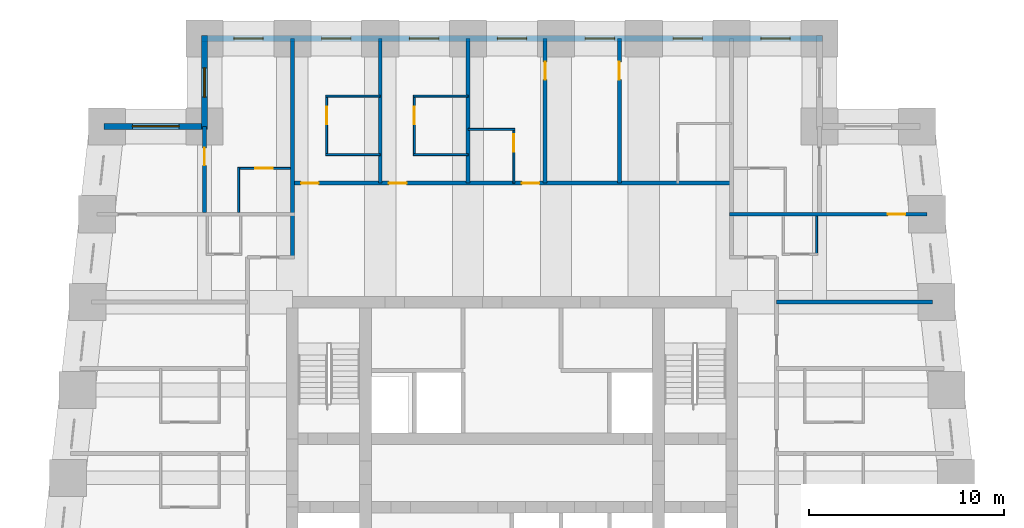
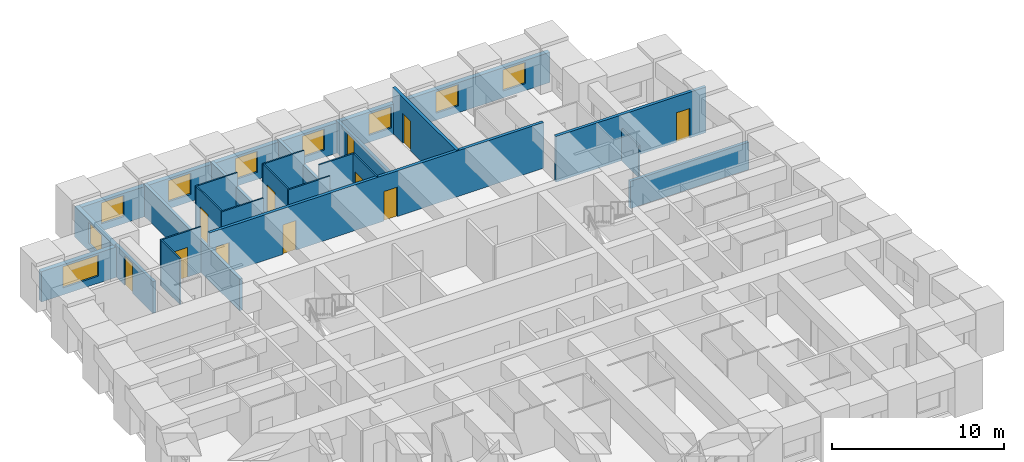
# One storey, part 6 of 8: 23 walls, 11 doors, 9 windows, 20 openings.
"""IFC4 building model written with IfcOpenShell, lengths in metres."""

from ifc_helpers import new_model, si_unit, direction, frame, frame_2d, origin, place, context, subcontext, project, spatial, rectangle, extrude, material, layer, layer_set, type_object, element, fill, save


model = new_model("IFC4")

# Units and contexts
model_context = context("Model", 3, precision=1e-05, world=origin(), true_north=direction((0.0, 1.0)))
body_context = subcontext(model_context, "Body", "Model", "MODEL_VIEW")
ifc_project = project(units=[si_unit("LENGTHUNIT", "METRE"), si_unit("AREAUNIT", "SQUARE_METRE"), si_unit("VOLUMEUNIT", "CUBIC_METRE"), si_unit("PLANEANGLEUNIT", "RADIAN"), si_unit("MASSUNIT", "GRAM", prefix="KILO")], contexts=[model_context])

# Site, building, storey
site_placement = place(None, origin())
site = spatial("IfcSite", under=ifc_project, at=site_placement, CompositionType="ELEMENT")
building_placement = place(site_placement, origin())
building = spatial("IfcBuilding", under=site, at=building_placement, Name="Kilele Tower Hotel", CompositionType="ELEMENT")
storey_placement = place(building_placement, frame((0.0, 0.0, 100.39990234375)))
storey = spatial("IfcBuildingStorey", under=building, at=storey_placement, Name="L25", CompositionType="ELEMENT", Elevation=100.39990234375)

# Walls
ifc_material_1 = material(Name="Moisture-resistant board")
ifc_layer_1 = layer(ifc_material_1, 0.10009765625)
ifc_layer_set_1 = layer_set([ifc_layer_1], Name="Moisture-resistant board")
wall_type_1 = type_object("IfcWallType", Name="Bathroom partition 100", PredefinedType="PLUMBINGWALL", material=ifc_layer_set_1)
for number, where, z_axis, x_axis, name in (
    (1, (15.199951171875, 34.550048828125, 0.0), (0.0, 0.0, 1.0), (1.0, 0.0, 0.0), "Bathroom partition 100 L25"),
    (2, (15.199951171875, 37.550048828125, 0.0), (0.0, 0.0, 1.0), (1.0, 0.0, 0.0), "Bathroom partition 100 L25"),
):
    element("IfcWall", number, at=place(storey_placement, frame(where, z_axis=z_axis, x_axis=x_axis)), inside=storey, type_object=wall_type_1, Name=name, PredefinedType="PLUMBINGWALL", context=body_context, shape_type="SweptSolid", body=[
        extrude(rectangle(XDim=2.800048828125, YDim=0.10009765625, at=frame_2d((1.39990234375, 0.0))), origin(), (0.0, 0.0, 1.0), 3.25),
    ])

# Wall, opening, door
wall_1_placement = place(storey_placement, frame((15.25, 34.5, 0.0), z_axis=(0.0, 0.0, 1.0), x_axis=(0.0, 1.0, 0.0)))
wall_1 = element("IfcWall", 3, at=wall_1_placement, inside=storey, type_object=wall_type_1, Name="Bathroom partition 100 L25", PredefinedType="PLUMBINGWALL", context=body_context, shape_type="SweptSolid", body=[
    extrude(rectangle(XDim=3.10009765625, YDim=0.10009765625, at=frame_2d((1.550048828125, 0.0))), origin(), (0.0, 0.0, 1.0), 3.25),
])
opening_1_placement = place(wall_1_placement, frame((1.60009765625, 0.0, 0.0)))
opening_1 = element("IfcOpeningElement", 4, at=opening_1_placement, cuts=wall_1, Name="Opening D2A", PredefinedType="OPENING", context=body_context, shape_type="SweptSolid", body=[
    extrude(rectangle(XDim=0.89990234375, YDim=2.10009765625, at=frame_2d((0.449951171875, 1.050048828125))), frame((0.0, 0.06005859375, 0.0), z_axis=(0.0, -1.0, 0.0), x_axis=(1.0, 0.0, 0.0)), (0.0, 0.0, 1.0), 0.1201171875),
])
ifc_material_2 = material(Name="Timber door leaf in hardwood frame", Category="wood")
door_type_1 = type_object("IfcDoorType", Name="Bathroom door 900", OperationType="SINGLE_SWING_LEFT", PredefinedType="DOOR", material=ifc_material_2)
door_1_placement = place(opening_1_placement, origin())
door_1 = element("IfcDoor", 5, at=door_1_placement, inside=storey, type_object=door_type_1, Name="Bathroom door 2509B", OperationType="SINGLE_SWING_RIGHT", OverallHeight=2.10009765625, OverallWidth=0.89990234375, PredefinedType="DOOR", context=body_context, shape_type="SweptSolid", body=[
    extrude(rectangle(XDim=0.89990234375, YDim=2.10009765625, at=frame_2d((0.449951171875, 1.050048828125))), frame((0.0, 0.02490234375, 0.0), z_axis=(0.0, -1.0, 0.0), x_axis=(1.0, 0.0, 0.0)), (0.0, 0.0, 1.0), 0.050048828125),
])
fill(opening_1, door_1)

# Walls
for number, where, z_axis, x_axis, name in (
    (6, (19.699951171875, 34.550048828125, 0.0), (0.0, 0.0, 1.0), (1.0, 0.0, 0.0), "Bathroom partition 100 L25"),
    (7, (19.699951171875, 37.550048828125, 0.0), (0.0, 0.0, 1.0), (1.0, 0.0, 0.0), "Bathroom partition 100 L25"),
):
    element("IfcWall", number, at=place(storey_placement, frame(where, z_axis=z_axis, x_axis=x_axis)), inside=storey, type_object=wall_type_1, Name=name, PredefinedType="PLUMBINGWALL", context=body_context, shape_type="SweptSolid", body=[
        extrude(rectangle(XDim=2.800048828125, YDim=0.10009765625, at=frame_2d((1.39990234375, 0.0))), origin(), (0.0, 0.0, 1.0), 3.25),
    ])

# Wall, opening, door
wall_2_placement = place(storey_placement, frame((19.75, 34.5, 0.0), z_axis=(0.0, 0.0, 1.0), x_axis=(0.0, 1.0, 0.0)))
wall_2 = element("IfcWall", 8, at=wall_2_placement, inside=storey, type_object=wall_type_1, Name="Bathroom partition 100 L25", PredefinedType="PLUMBINGWALL", context=body_context, shape_type="SweptSolid", body=[
    extrude(rectangle(XDim=3.10009765625, YDim=0.10009765625, at=frame_2d((1.550048828125, 0.0))), origin(), (0.0, 0.0, 1.0), 3.25),
])
opening_2_placement = place(wall_2_placement, frame((1.60009765625, 0.0, 0.0)))
opening_2 = element("IfcOpeningElement", 9, at=opening_2_placement, cuts=wall_2, Name="Opening D2A", PredefinedType="OPENING", context=body_context, shape_type="SweptSolid", body=[
    extrude(rectangle(XDim=0.89990234375, YDim=2.10009765625, at=frame_2d((0.449951171875, 1.050048828125))), frame((0.0, 0.06005859375, 0.0), z_axis=(0.0, -1.0, 0.0), x_axis=(1.0, 0.0, 0.0)), (0.0, 0.0, 1.0), 0.1201171875),
])
door_2_placement = place(opening_2_placement, origin())
door_2 = element("IfcDoor", 10, at=door_2_placement, inside=storey, type_object=door_type_1, Name="Bathroom door 2510B", OperationType="SINGLE_SWING_RIGHT", OverallHeight=2.10009765625, OverallWidth=0.89990234375, PredefinedType="DOOR", context=body_context, shape_type="SweptSolid", body=[
    extrude(rectangle(XDim=0.89990234375, YDim=2.10009765625, at=frame_2d((0.449951171875, 1.050048828125))), frame((0.0, 0.02490234375, 0.0), z_axis=(0.0, -1.0, 0.0), x_axis=(1.0, 0.0, 0.0)), (0.0, 0.0, 1.0), 0.050048828125),
])
fill(opening_2, door_2)

# Wall
wall_3_placement = place(storey_placement, frame((22.5, 35.85009765625, 0.0), z_axis=(0.0, 0.0, 1.0), x_axis=(1.0, 0.0, 0.0)))
element("IfcWall", 11, at=wall_3_placement, inside=storey, type_object=wall_type_1, Name="Bathroom partition 100 L25", PredefinedType="PLUMBINGWALL", context=body_context, shape_type="SweptSolid", body=[
    extrude(rectangle(XDim=2.39990234375, YDim=0.10009765625, at=frame_2d((1.199951171875, 0.0))), origin(), (0.0, 0.0, 1.0), 3.25),
])

# Wall, opening, door
wall_4_placement = place(storey_placement, frame((24.85009765625, 33.10009765625, 0.0), z_axis=(0.0, 0.0, 1.0), x_axis=(0.0, 1.0, 0.0)))
wall_4 = element("IfcWall", 12, at=wall_4_placement, inside=storey, type_object=wall_type_1, Name="Bathroom partition 100 L25", PredefinedType="PLUMBINGWALL", context=body_context, shape_type="SweptSolid", body=[
    extrude(rectangle(XDim=2.7998046875, YDim=0.10009765625, at=frame_2d((1.39990234375, 0.0))), origin(), (0.0, 0.0, 1.0), 3.25),
])
opening_3_placement = place(wall_4_placement, frame((2.5, 0.0, 0.0), z_axis=(0.0, 0.0, 1.0), x_axis=(-1.0, 0.0, 0.0)))
opening_3 = element("IfcOpeningElement", 13, at=opening_3_placement, cuts=wall_4, Name="Opening D2A", PredefinedType="OPENING", context=body_context, shape_type="SweptSolid", body=[
    extrude(rectangle(XDim=0.89990234375, YDim=2.10009765625, at=frame_2d((0.449951171875, 1.050048828125))), frame((0.0, 0.06005859375, 0.0), z_axis=(0.0, -1.0, 0.0), x_axis=(1.0, 0.0, 0.0)), (0.0, 0.0, 1.0), 0.1201171875),
])
door_3_placement = place(opening_3_placement, origin())
door_3 = element("IfcDoor", 14, at=door_3_placement, inside=storey, type_object=door_type_1, Name="Bathroom door 2511B", OperationType="SINGLE_SWING_RIGHT", OverallHeight=2.10009765625, OverallWidth=0.89990234375, PredefinedType="DOOR", context=body_context, shape_type="SweptSolid", body=[
    extrude(rectangle(XDim=0.89990234375, YDim=2.10009765625, at=frame_2d((0.449951171875, 1.050048828125))), frame((0.0, 0.02490234375, 0.0), z_axis=(0.0, -1.0, 0.0), x_axis=(1.0, 0.0, 0.0)), (0.0, 0.0, 1.0), 0.050048828125),
])
fill(opening_3, door_3)

# Walls
wall_5_placement = place(storey_placement, frame((40.35009765625, 31.39990234375, 0.0), z_axis=(0.0, 0.0, 1.0), x_axis=(0.0, -1.0, 0.0)))
element("IfcWall", 15, at=wall_5_placement, inside=storey, type_object=wall_type_1, Name="Bathroom partition 100 L25", PredefinedType="PLUMBINGWALL", context=body_context, shape_type="SweptSolid", body=[
    extrude(rectangle(XDim=2.0, YDim=0.10009765625, at=frame_2d((1.0, 0.0))), origin(), (0.0, 0.0, 1.0), 2.25),
])
wall_6_placement = place(storey_placement, frame((10.75, 31.60009765625, 0.0), z_axis=(0.0, 0.0, 1.0), x_axis=(0.0, 1.0, 0.0)))
element("IfcWall", 16, at=wall_6_placement, inside=storey, type_object=wall_type_1, Name="Bathroom partition 100 L25", PredefinedType="PLUMBINGWALL", context=body_context, shape_type="SweptSolid", body=[
    extrude(rectangle(XDim=2.2998046875, YDim=0.10009765625, at=frame_2d((1.14990234375, 0.0))), origin(), (0.0, 0.0, 1.0), 3.25),
])

# Wall, opening, door
wall_7_placement = place(storey_placement, frame((13.39990234375, 33.85009765625, 0.0), z_axis=(0.0, 0.0, 1.0), x_axis=(-1.0, 0.0, 0.0)))
wall_7 = element("IfcWall", 17, at=wall_7_placement, inside=storey, type_object=wall_type_1, Name="Bathroom partition 100 L25", PredefinedType="PLUMBINGWALL", context=body_context, shape_type="SweptSolid", body=[
    extrude(rectangle(XDim=2.699951171875, YDim=0.10009765625, at=frame_2d((1.35009765625, 0.0))), origin(), (0.0, 0.0, 1.0), 3.25),
])
opening_4_placement = place(wall_7_placement, frame((1.7998046875, 0.0, 0.0), z_axis=(0.0, 0.0, 1.0), x_axis=(-1.0, 0.0, 0.0)))
opening_4 = element("IfcOpeningElement", 18, at=opening_4_placement, cuts=wall_7, Name="Opening D2A", PredefinedType="OPENING", context=body_context, shape_type="SweptSolid", body=[
    extrude(rectangle(XDim=0.89990234375, YDim=2.10009765625, at=frame_2d((0.449951171875, 1.050048828125))), frame((0.0, 0.06005859375, 0.0), z_axis=(0.0, -1.0, 0.0), x_axis=(1.0, 0.0, 0.0)), (0.0, 0.0, 1.0), 0.1201171875),
])
door_4_placement = place(opening_4_placement, origin())
door_4 = element("IfcDoor", 19, at=door_4_placement, inside=storey, type_object=door_type_1, Name="Bathroom door 2527B", OperationType="SINGLE_SWING_RIGHT", OverallHeight=2.10009765625, OverallWidth=0.89990234375, PredefinedType="DOOR", context=body_context, shape_type="SweptSolid", body=[
    extrude(rectangle(XDim=0.89990234375, YDim=2.10009765625, at=frame_2d((0.449951171875, 1.050048828125))), frame((0.0, 0.02490234375, 0.0), z_axis=(0.0, -1.0, 0.0), x_axis=(1.0, 0.0, 0.0)), (0.0, 0.0, 1.0), 0.050048828125),
])
fill(opening_4, door_4)

# Wall, openings, doors
ifc_material_3 = material(Name="Blockwork, plastered both sides", Category="masonry")
ifc_layer_2 = layer(ifc_material_3, 0.199951171875)
ifc_layer_set_2 = layer_set([ifc_layer_2], Name="Blockwork, plastered both sides")
wall_type_2 = type_object("IfcWallType", Name="Corridor wall 200", PredefinedType="PARTITIONING", material=ifc_layer_set_2)
wall_8_placement = place(storey_placement, frame((13.5, 33.10009765625, 0.0), z_axis=(0.0, 0.0, 1.0), x_axis=(1.0, 0.0, 0.0)))
wall_8 = element("IfcWall", 20, at=wall_8_placement, inside=storey, type_object=wall_type_2, Name="Corridor wall 200 L25", PredefinedType="PARTITIONING", context=body_context, shape_type="SweptSolid", body=[
    extrude(rectangle(XDim=22.5, YDim=0.199951171875, at=frame_2d((11.25, 0.0))), origin(), (0.0, 0.0, 1.0), 3.25),
])
opening_5_placement = place(wall_8_placement, frame((0.449951171875, 0.0, 0.0)))
opening_5 = element("IfcOpeningElement", 21, at=opening_5_placement, cuts=wall_8, Name="Opening D1", PredefinedType="OPENING", context=body_context, shape_type="SweptSolid", body=[
    extrude(rectangle(XDim=0.89990234375, YDim=2.10009765625, at=frame_2d((0.449951171875, 1.050048828125))), frame((0.0, 0.10986328125, 0.0), z_axis=(0.0, -1.0, 0.0), x_axis=(1.0, 0.0, 0.0)), (0.0, 0.0, 1.0), 0.219970703125),
])
opening_6_placement = place(wall_8_placement, frame((4.949951171875, 0.0, 0.0)))
opening_6 = element("IfcOpeningElement", 22, at=opening_6_placement, cuts=wall_8, Name="Opening D1", PredefinedType="OPENING", context=body_context, shape_type="SweptSolid", body=[
    extrude(rectangle(XDim=0.89990234375, YDim=2.10009765625, at=frame_2d((0.449951171875, 1.050048828125))), frame((0.0, 0.10986328125, 0.0), z_axis=(0.0, -1.0, 0.0), x_axis=(1.0, 0.0, 0.0)), (0.0, 0.0, 1.0), 0.219970703125),
])
opening_7_placement = place(wall_8_placement, frame((11.75, 0.0, 0.0)))
opening_7 = element("IfcOpeningElement", 23, at=opening_7_placement, cuts=wall_8, Name="Opening D1", PredefinedType="OPENING", context=body_context, shape_type="SweptSolid", body=[
    extrude(rectangle(XDim=0.89990234375, YDim=2.10009765625, at=frame_2d((0.449951171875, 1.050048828125))), frame((0.0, 0.10986328125, 0.0), z_axis=(0.0, -1.0, 0.0), x_axis=(1.0, 0.0, 0.0)), (0.0, 0.0, 1.0), 0.219970703125),
])
ifc_material_4 = material(Name="Timber door leaf in hardwood frame", Category="wood")
door_type_2 = type_object("IfcDoorType", Name="Guest room entrance door 900", OperationType="SINGLE_SWING_LEFT", PredefinedType="DOOR", material=ifc_material_4)
door_5_placement = place(opening_5_placement, origin())
door_5 = element("IfcDoor", 24, at=door_5_placement, inside=storey, type_object=door_type_2, Name="Room entrance 2509", OperationType="SINGLE_SWING_LEFT", OverallHeight=2.10009765625, OverallWidth=0.89990234375, PredefinedType="DOOR", context=body_context, shape_type="SweptSolid", body=[
    extrude(rectangle(XDim=0.89990234375, YDim=2.10009765625, at=frame_2d((0.449951171875, 1.050048828125))), frame((0.0, 0.02490234375, 0.0), z_axis=(0.0, -1.0, 0.0), x_axis=(1.0, 0.0, 0.0)), (0.0, 0.0, 1.0), 0.050048828125),
])
fill(opening_5, door_5)
door_6_placement = place(opening_6_placement, origin())
door_6 = element("IfcDoor", 25, at=door_6_placement, inside=storey, type_object=door_type_2, Name="Room entrance 2510", OperationType="SINGLE_SWING_LEFT", OverallHeight=2.10009765625, OverallWidth=0.89990234375, PredefinedType="DOOR", context=body_context, shape_type="SweptSolid", body=[
    extrude(rectangle(XDim=0.89990234375, YDim=2.10009765625, at=frame_2d((0.449951171875, 1.050048828125))), frame((0.0, 0.02490234375, 0.0), z_axis=(0.0, -1.0, 0.0), x_axis=(1.0, 0.0, 0.0)), (0.0, 0.0, 1.0), 0.050048828125),
])
fill(opening_6, door_6)
door_7_placement = place(opening_7_placement, origin())
door_7 = element("IfcDoor", 26, at=door_7_placement, inside=storey, type_object=door_type_2, Name="Room entrance 2511", OperationType="SINGLE_SWING_RIGHT", OverallHeight=2.10009765625, OverallWidth=0.89990234375, PredefinedType="DOOR", context=body_context, shape_type="SweptSolid", body=[
    extrude(rectangle(XDim=0.89990234375, YDim=2.10009765625, at=frame_2d((0.449951171875, 1.050048828125))), frame((0.0, 0.02490234375, 0.0), z_axis=(0.0, -1.0, 0.0), x_axis=(1.0, 0.0, 0.0)), (0.0, 0.0, 1.0), 0.050048828125),
])
fill(opening_7, door_7)

# Wall, opening, door
ifc_material_5 = material(Name="Blockwork, plastered both sides", Category="masonry")
ifc_layer_3 = layer(ifc_material_5, 0.199951171875)
ifc_layer_set_3 = layer_set([ifc_layer_3], Name="Blockwork, plastered both sides")
wall_type_3 = type_object("IfcWallType", Name="Partition wall 200", PredefinedType="PARTITIONING", material=ifc_layer_set_3)
wall_9_placement = place(storey_placement, frame((9.0, 31.60009765625, 0.0), z_axis=(0.0, 0.0, 1.0), x_axis=(0.0, 1.0, 0.0)))
wall_9 = element("IfcWall", 27, at=wall_9_placement, inside=storey, type_object=wall_type_3, Name="Partition wall 200 L25", PredefinedType="PARTITIONING", context=body_context, shape_type="SweptSolid", body=[
    extrude(rectangle(XDim=4.39990234375, YDim=0.199951171875, at=frame_2d((2.199951171875, 0.0))), origin(), (0.0, 0.0, 1.0), 2.25),
])
opening_8_placement = place(wall_9_placement, frame((2.39990234375, 0.0, 0.0)))
opening_8 = element("IfcOpeningElement", 28, at=opening_8_placement, cuts=wall_9, Name="Opening D3", PredefinedType="OPENING", context=body_context, shape_type="SweptSolid", body=[
    extrude(rectangle(XDim=0.89990234375, YDim=2.10009765625, at=frame_2d((0.449951171875, 1.050048828125))), frame((0.0, 0.10986328125, 0.0), z_axis=(0.0, -1.0, 0.0), x_axis=(1.0, 0.0, 0.0)), (0.0, 0.0, 1.0), 0.219970703125),
])
ifc_material_6 = material(Name="Timber door leaf in hardwood frame", Category="wood")
door_type_3 = type_object("IfcDoorType", Name="Suite internal door 900", OperationType="SINGLE_SWING_LEFT", PredefinedType="DOOR", material=ifc_material_6)
door_8_placement = place(opening_8_placement, origin())
door_8 = element("IfcDoor", 29, at=door_8_placement, inside=storey, type_object=door_type_3, Name="Suite door 2528", OperationType="SINGLE_SWING_RIGHT", OverallHeight=2.10009765625, OverallWidth=0.89990234375, PredefinedType="DOOR", context=body_context, shape_type="SweptSolid", body=[
    extrude(rectangle(XDim=0.89990234375, YDim=2.10009765625, at=frame_2d((0.449951171875, 1.050048828125))), frame((0.0, 0.02490234375, 0.0), z_axis=(0.0, -1.0, 0.0), x_axis=(1.0, 0.0, 0.0)), (0.0, 0.0, 1.0), 0.050048828125),
])
fill(opening_8, door_8)

# Walls
ifc_material_7 = material(Name="Blockwork, plastered both sides", Category="masonry")
ifc_layer_4 = layer(ifc_material_7, 0.199951171875)
ifc_layer_set_4 = layer_set([ifc_layer_4], Name="Blockwork, plastered both sides")
wall_type_4 = type_object("IfcWallType", Name="Party wall 200", PredefinedType="PARTITIONING", material=ifc_layer_set_4)
for number, where, z_axis, x_axis, name in (
    (30, (18.0, 33.10009765625, 0.0), (0.0, 0.0, 1.0), (0.0, 1.0, 0.0), "Party wall 200 L25"),
    (31, (22.5, 33.10009765625, 0.0), (0.0, 0.0, 1.0), (0.0, 1.0, 0.0), "Party wall 200 L25"),
):
    element("IfcWall", number, at=place(storey_placement, frame(where, z_axis=z_axis, x_axis=x_axis)), inside=storey, type_object=wall_type_4, Name=name, PredefinedType="PARTITIONING", context=body_context, shape_type="SweptSolid", body=[
        extrude(rectangle(XDim=7.39990234375, YDim=0.199951171875, at=frame_2d((3.699951171875, 0.0))), origin(), (0.0, 0.0, 1.0), 2.25),
    ])

# Wall, opening, door
wall_10_placement = place(storey_placement, frame((26.449951171875, 33.10009765625, 0.0), z_axis=(0.0, 0.0, 1.0), x_axis=(0.0, 1.0, 0.0)))
wall_10 = element("IfcWall", 32, at=wall_10_placement, inside=storey, type_object=wall_type_4, Name="Party wall 200 L25", PredefinedType="PARTITIONING", context=body_context, shape_type="SweptSolid", body=[
    extrude(rectangle(XDim=7.39990234375, YDim=0.199951171875, at=frame_2d((3.699951171875, 0.0))), origin(), (0.0, 0.0, 1.0), 2.25),
])
opening_9_placement = place(wall_10_placement, frame((5.300048828125, 0.0, 0.0)))
opening_9 = element("IfcOpeningElement", 33, at=opening_9_placement, cuts=wall_10, Name="Opening D3", PredefinedType="OPENING", context=body_context, shape_type="SweptSolid", body=[
    extrude(rectangle(XDim=0.89990234375, YDim=2.10009765625, at=frame_2d((0.449951171875, 1.050048828125))), frame((0.0, 0.10986328125, 0.0), z_axis=(0.0, -1.0, 0.0), x_axis=(1.0, 0.0, 0.0)), (0.0, 0.0, 1.0), 0.219970703125),
])
door_9_placement = place(opening_9_placement, origin())
door_9 = element("IfcDoor", 34, at=door_9_placement, inside=storey, type_object=door_type_3, Name="Suite door 2512", OperationType="SINGLE_SWING_RIGHT", OverallHeight=2.10009765625, OverallWidth=0.89990234375, PredefinedType="DOOR", context=body_context, shape_type="SweptSolid", body=[
    extrude(rectangle(XDim=0.89990234375, YDim=2.10009765625, at=frame_2d((0.449951171875, 1.050048828125))), frame((0.0, 0.02490234375, 0.0), z_axis=(0.0, -1.0, 0.0), x_axis=(1.0, 0.0, 0.0)), (0.0, 0.0, 1.0), 0.050048828125),
])
fill(opening_9, door_9)

wall_11_placement = place(storey_placement, frame((30.25, 33.10009765625, 0.0), z_axis=(0.0, 0.0, 1.0), x_axis=(0.0, 1.0, 0.0)))
wall_11 = element("IfcWall", 35, at=wall_11_placement, inside=storey, type_object=wall_type_4, Name="Party wall 200 L25", PredefinedType="PARTITIONING", context=body_context, shape_type="SweptSolid", body=[
    extrude(rectangle(XDim=7.39990234375, YDim=0.199951171875, at=frame_2d((3.699951171875, 0.0))), origin(), (0.0, 0.0, 1.0), 3.25),
])
opening_10_placement = place(wall_11_placement, frame((5.300048828125, 0.0, 0.0)))
opening_10 = element("IfcOpeningElement", 36, at=opening_10_placement, cuts=wall_11, Name="Opening D3", PredefinedType="OPENING", context=body_context, shape_type="SweptSolid", body=[
    extrude(rectangle(XDim=0.89990234375, YDim=2.10009765625, at=frame_2d((0.449951171875, 1.050048828125))), frame((0.0, 0.10986328125, 0.0), z_axis=(0.0, -1.0, 0.0), x_axis=(1.0, 0.0, 0.0)), (0.0, 0.0, 1.0), 0.219970703125),
])
door_10_placement = place(opening_10_placement, origin())
door_10 = element("IfcDoor", 37, at=door_10_placement, inside=storey, type_object=door_type_3, Name="Suite door 2513", OperationType="SINGLE_SWING_RIGHT", OverallHeight=2.10009765625, OverallWidth=0.89990234375, PredefinedType="DOOR", context=body_context, shape_type="SweptSolid", body=[
    extrude(rectangle(XDim=0.89990234375, YDim=2.10009765625, at=frame_2d((0.449951171875, 1.050048828125))), frame((0.0, 0.02490234375, 0.0), z_axis=(0.0, -1.0, 0.0), x_axis=(1.0, 0.0, 0.0)), (0.0, 0.0, 1.0), 0.050048828125),
])
fill(opening_10, door_10)

# Wall
wall_12_placement = place(storey_placement, frame((38.300048828125, 27.0, 0.0), z_axis=(0.0, 0.0, 1.0), x_axis=(1.0, 0.0, 0.0)))
element("IfcWall", 38, at=wall_12_placement, inside=storey, type_object=wall_type_4, Name="Party wall 200 L25", PredefinedType="PARTITIONING", context=body_context, shape_type="SweptSolid", body=[
    extrude(rectangle(XDim=7.976806640625, YDim=0.199951171875, at=frame_2d((3.98828125, 0.0))), origin(), (0.0, 0.0, 1.0), 1.9501953125),
])

# Wall, opening, door
wall_13_placement = place(storey_placement, frame((35.89990234375, 31.5, 0.0), z_axis=(0.0, 0.0, 1.0), x_axis=(1.0, 0.0, 0.0)))
wall_13 = element("IfcWall", 39, at=wall_13_placement, inside=storey, type_object=wall_type_4, Name="Party wall 200 L25", PredefinedType="PARTITIONING", context=body_context, shape_type="SweptSolid", body=[
    extrude(rectangle(XDim=10.09912109375, YDim=0.199951171875, at=frame_2d((5.049560546875, 0.0))), origin(), (0.0, 0.0, 1.0), 3.25),
])
opening_11_placement = place(wall_13_placement, frame((8.09912109375, 0.0, 0.0)))
opening_11 = element("IfcOpeningElement", 40, at=opening_11_placement, cuts=wall_13, Name="Opening D3", PredefinedType="OPENING", context=body_context, shape_type="SweptSolid", body=[
    extrude(rectangle(XDim=0.89990234375, YDim=2.10009765625, at=frame_2d((0.449951171875, 1.050048828125))), frame((0.0, 0.10986328125, 0.0), z_axis=(0.0, -1.0, 0.0), x_axis=(1.0, 0.0, 0.0)), (0.0, 0.0, 1.0), 0.219970703125),
])
door_11_placement = place(opening_11_placement, origin())
door_11 = element("IfcDoor", 41, at=door_11_placement, inside=storey, type_object=door_type_3, Name="Suite door 2524", OperationType="SINGLE_SWING_RIGHT", OverallHeight=2.10009765625, OverallWidth=0.89990234375, PredefinedType="DOOR", context=body_context, shape_type="SweptSolid", body=[
    extrude(rectangle(XDim=0.89990234375, YDim=2.10009765625, at=frame_2d((0.449951171875, 1.050048828125))), frame((0.0, 0.02490234375, 0.0), z_axis=(0.0, -1.0, 0.0), x_axis=(1.0, 0.0, 0.0)), (0.0, 0.0, 1.0), 0.050048828125),
])
fill(opening_11, door_11)

# Wall
wall_14_placement = place(storey_placement, frame((13.5, 29.300048828125, 0.0), z_axis=(0.0, 0.0, 1.0), x_axis=(0.0, 1.0, 0.0)))
element("IfcWall", 42, at=wall_14_placement, inside=storey, type_object=wall_type_4, Name="Party wall 200 L25", PredefinedType="PARTITIONING", context=body_context, shape_type="SweptSolid", body=[
    extrude(rectangle(XDim=11.199951171875, YDim=0.199951171875, at=frame_2d((5.60009765625, 0.0))), origin(), (0.0, 0.0, 1.0), 2.25),
])

# Wall, openings, windows
ifc_material_8 = material(Name="Concrete C40/50 precast", Category="concrete")
ifc_layer_5 = layer(ifc_material_8, 0.260009765625, Name="Precast backing", Category="LoadBearing")
ifc_material_9 = material(Name="Reconstituted stone finish", Category="masonry")
ifc_layer_6 = layer(ifc_material_9, 0.0400390625, Name="Face mix", Category="Finish")
ifc_layer_set_5 = layer_set([ifc_layer_5, ifc_layer_6], Name="Precast concrete C40/50, reconstituted stone finish")
wall_type_5 = type_object("IfcWallType", Name="Precast stone facade wall 300", PredefinedType="STANDARD", material=ifc_layer_set_5)
wall_15_placement = place(storey_placement, frame((40.64990234375, 40.5, 0.0), z_axis=(0.0, 0.0, 1.0), x_axis=(-1.0, 0.0, 0.0)))
wall_15 = element("IfcWall", 43, at=wall_15_placement, inside=storey, type_object=wall_type_5, Name="Facade wall L25 edge 9", PredefinedType="STANDARD", context=body_context, shape_type="SweptSolid", body=[
    extrude(rectangle(XDim=31.7998046875, YDim=0.300048828125, at=frame_2d((15.89990234375, 0.0))), origin(), (0.0, 0.0, 1.0), 2.150146484375),
])
opening_12_placement = place(wall_15_placement, frame((1.64990234375, 0.0, 0.5)))
opening_12 = element("IfcOpeningElement", 44, at=opening_12_placement, cuts=wall_15, Name="Opening W2", PredefinedType="OPENING", context=body_context, shape_type="SweptSolid", body=[
    extrude(rectangle(XDim=1.5, YDim=1.5, at=frame_2d((0.75, 0.75))), frame((0.0, 0.159912109375, 0.0), z_axis=(0.0, -1.0, 0.0), x_axis=(1.0, 0.0, 0.0)), (0.0, 0.0, 1.0), 0.320068359375),
])
opening_13_placement = place(wall_15_placement, frame((6.14990234375, 0.0, 0.5)))
opening_13 = element("IfcOpeningElement", 45, at=opening_13_placement, cuts=wall_15, Name="Opening W2", PredefinedType="OPENING", context=body_context, shape_type="SweptSolid", body=[
    extrude(rectangle(XDim=1.5, YDim=1.5, at=frame_2d((0.75, 0.75))), frame((0.0, 0.159912109375, 0.0), z_axis=(0.0, -1.0, 0.0), x_axis=(1.0, 0.0, 0.0)), (0.0, 0.0, 1.0), 0.320068359375),
])
opening_14_placement = place(wall_15_placement, frame((10.64990234375, 0.0, 0.5)))
opening_14 = element("IfcOpeningElement", 46, at=opening_14_placement, cuts=wall_15, Name="Opening W2", PredefinedType="OPENING", context=body_context, shape_type="SweptSolid", body=[
    extrude(rectangle(XDim=1.5, YDim=1.5, at=frame_2d((0.75, 0.75))), frame((0.0, 0.159912109375, 0.0), z_axis=(0.0, -1.0, 0.0), x_axis=(1.0, 0.0, 0.0)), (0.0, 0.0, 1.0), 0.320068359375),
])
opening_15_placement = place(wall_15_placement, frame((15.14990234375, 0.0, 0.5)))
opening_15 = element("IfcOpeningElement", 47, at=opening_15_placement, cuts=wall_15, Name="Opening W2", PredefinedType="OPENING", context=body_context, shape_type="SweptSolid", body=[
    extrude(rectangle(XDim=1.5, YDim=1.5, at=frame_2d((0.75, 0.75))), frame((0.0, 0.159912109375, 0.0), z_axis=(0.0, -1.0, 0.0), x_axis=(1.0, 0.0, 0.0)), (0.0, 0.0, 1.0), 0.320068359375),
])
opening_16_placement = place(wall_15_placement, frame((19.64990234375, 0.0, 0.5)))
opening_16 = element("IfcOpeningElement", 48, at=opening_16_placement, cuts=wall_15, Name="Opening W2", PredefinedType="OPENING", context=body_context, shape_type="SweptSolid", body=[
    extrude(rectangle(XDim=1.5, YDim=1.5, at=frame_2d((0.75, 0.75))), frame((0.0, 0.159912109375, 0.0), z_axis=(0.0, -1.0, 0.0), x_axis=(1.0, 0.0, 0.0)), (0.0, 0.0, 1.0), 0.320068359375),
])
opening_17_placement = place(wall_15_placement, frame((24.14990234375, 0.0, 0.5)))
opening_17 = element("IfcOpeningElement", 49, at=opening_17_placement, cuts=wall_15, Name="Opening W2", PredefinedType="OPENING", context=body_context, shape_type="SweptSolid", body=[
    extrude(rectangle(XDim=1.5, YDim=1.5, at=frame_2d((0.75, 0.75))), frame((0.0, 0.159912109375, 0.0), z_axis=(0.0, -1.0, 0.0), x_axis=(1.0, 0.0, 0.0)), (0.0, 0.0, 1.0), 0.320068359375),
])
opening_18_placement = place(wall_15_placement, frame((28.64990234375, 0.0, 0.5)))
opening_18 = element("IfcOpeningElement", 50, at=opening_18_placement, cuts=wall_15, Name="Opening W2", PredefinedType="OPENING", context=body_context, shape_type="SweptSolid", body=[
    extrude(rectangle(XDim=1.5, YDim=1.5, at=frame_2d((0.75, 0.75))), frame((0.0, 0.159912109375, 0.0), z_axis=(0.0, -1.0, 0.0), x_axis=(1.0, 0.0, 0.0)), (0.0, 0.0, 1.0), 0.320068359375),
])
ifc_material_10 = material(Name="Aluminium frame, clear double glazing", Category="aluminium")
window_type_1 = type_object("IfcWindowType", Name="Window W2 1500 x 1500", PartitioningType="SINGLE_PANEL", PredefinedType="WINDOW", material=ifc_material_10)
window_1_placement = place(opening_12_placement, origin())
window_1 = element("IfcWindow", 51, at=window_1_placement, inside=storey, type_object=window_type_1, Name="Window L25", OverallHeight=1.5, OverallWidth=1.5, PartitioningType="SINGLE_PANEL", PredefinedType="WINDOW", context=body_context, shape_type="SweptSolid", body=[
    extrude(rectangle(XDim=1.5, YDim=1.5, at=frame_2d((0.75, 0.75))), frame((0.0, 0.030029296875, 0.0), z_axis=(0.0, -1.0, 0.0), x_axis=(1.0, 0.0, 0.0)), (0.0, 0.0, 1.0), 0.06005859375),
])
fill(opening_12, window_1)
window_2_placement = place(opening_13_placement, origin())
window_2 = element("IfcWindow", 52, at=window_2_placement, inside=storey, type_object=window_type_1, Name="Window L25", OverallHeight=1.5, OverallWidth=1.5, PartitioningType="SINGLE_PANEL", PredefinedType="WINDOW", context=body_context, shape_type="SweptSolid", body=[
    extrude(rectangle(XDim=1.5, YDim=1.5, at=frame_2d((0.75, 0.75))), frame((0.0, 0.030029296875, 0.0), z_axis=(0.0, -1.0, 0.0), x_axis=(1.0, 0.0, 0.0)), (0.0, 0.0, 1.0), 0.06005859375),
])
fill(opening_13, window_2)
window_3_placement = place(opening_14_placement, origin())
window_3 = element("IfcWindow", 53, at=window_3_placement, inside=storey, type_object=window_type_1, Name="Window L25", OverallHeight=1.5, OverallWidth=1.5, PartitioningType="SINGLE_PANEL", PredefinedType="WINDOW", context=body_context, shape_type="SweptSolid", body=[
    extrude(rectangle(XDim=1.5, YDim=1.5, at=frame_2d((0.75, 0.75))), frame((0.0, 0.030029296875, 0.0), z_axis=(0.0, -1.0, 0.0), x_axis=(1.0, 0.0, 0.0)), (0.0, 0.0, 1.0), 0.06005859375),
])
fill(opening_14, window_3)
window_4_placement = place(opening_15_placement, origin())
window_4 = element("IfcWindow", 54, at=window_4_placement, inside=storey, type_object=window_type_1, Name="Window L25", OverallHeight=1.5, OverallWidth=1.5, PartitioningType="SINGLE_PANEL", PredefinedType="WINDOW", context=body_context, shape_type="SweptSolid", body=[
    extrude(rectangle(XDim=1.5, YDim=1.5, at=frame_2d((0.75, 0.75))), frame((0.0, 0.030029296875, 0.0), z_axis=(0.0, -1.0, 0.0), x_axis=(1.0, 0.0, 0.0)), (0.0, 0.0, 1.0), 0.06005859375),
])
fill(opening_15, window_4)
window_5_placement = place(opening_16_placement, origin())
window_5 = element("IfcWindow", 55, at=window_5_placement, inside=storey, type_object=window_type_1, Name="Window L25", OverallHeight=1.5, OverallWidth=1.5, PartitioningType="SINGLE_PANEL", PredefinedType="WINDOW", context=body_context, shape_type="SweptSolid", body=[
    extrude(rectangle(XDim=1.5, YDim=1.5, at=frame_2d((0.75, 0.75))), frame((0.0, 0.030029296875, 0.0), z_axis=(0.0, -1.0, 0.0), x_axis=(1.0, 0.0, 0.0)), (0.0, 0.0, 1.0), 0.06005859375),
])
fill(opening_16, window_5)
window_6_placement = place(opening_17_placement, origin())
window_6 = element("IfcWindow", 56, at=window_6_placement, inside=storey, type_object=window_type_1, Name="Window L25", OverallHeight=1.5, OverallWidth=1.5, PartitioningType="SINGLE_PANEL", PredefinedType="WINDOW", context=body_context, shape_type="SweptSolid", body=[
    extrude(rectangle(XDim=1.5, YDim=1.5, at=frame_2d((0.75, 0.75))), frame((0.0, 0.030029296875, 0.0), z_axis=(0.0, -1.0, 0.0), x_axis=(1.0, 0.0, 0.0)), (0.0, 0.0, 1.0), 0.06005859375),
])
fill(opening_17, window_6)
window_7_placement = place(opening_18_placement, origin())
window_7 = element("IfcWindow", 57, at=window_7_placement, inside=storey, type_object=window_type_1, Name="Window L25", OverallHeight=1.5, OverallWidth=1.5, PartitioningType="SINGLE_PANEL", PredefinedType="WINDOW", context=body_context, shape_type="SweptSolid", body=[
    extrude(rectangle(XDim=1.5, YDim=1.5, at=frame_2d((0.75, 0.75))), frame((0.0, 0.030029296875, 0.0), z_axis=(0.0, -1.0, 0.0), x_axis=(1.0, 0.0, 0.0)), (0.0, 0.0, 1.0), 0.06005859375),
])
fill(opening_18, window_7)

# Wall, opening, window
wall_16_placement = place(storey_placement, frame((9.0, 40.64990234375, 0.0), z_axis=(0.0, 0.0, 1.0), x_axis=(0.0, -1.0, 0.0)))
wall_16 = element("IfcWall", 58, at=wall_16_placement, inside=storey, type_object=wall_type_5, Name="Facade wall L25 edge 10", PredefinedType="STANDARD", context=body_context, shape_type="SweptSolid", body=[
    extrude(rectangle(XDim=4.7998046875, YDim=0.300048828125, at=frame_2d((2.39990234375, 0.0))), origin(), (0.0, 0.0, 1.0), 2.150146484375),
])
opening_19_placement = place(wall_16_placement, frame((1.64990234375, 0.0, 0.5)))
opening_19 = element("IfcOpeningElement", 59, at=opening_19_placement, cuts=wall_16, Name="Opening W2", PredefinedType="OPENING", context=body_context, shape_type="SweptSolid", body=[
    extrude(rectangle(XDim=1.5, YDim=1.5, at=frame_2d((0.75, 0.75))), frame((0.0, 0.159912109375, 0.0), z_axis=(0.0, -1.0, 0.0), x_axis=(1.0, 0.0, 0.0)), (0.0, 0.0, 1.0), 0.320068359375),
])
window_8_placement = place(opening_19_placement, origin())
window_8 = element("IfcWindow", 60, at=window_8_placement, inside=storey, type_object=window_type_1, Name="Window L25", OverallHeight=1.5, OverallWidth=1.5, PartitioningType="SINGLE_PANEL", PredefinedType="WINDOW", context=body_context, shape_type="SweptSolid", body=[
    extrude(rectangle(XDim=1.5, YDim=1.5, at=frame_2d((0.75, 0.75))), frame((0.0, 0.030029296875, 0.0), z_axis=(0.0, -1.0, 0.0), x_axis=(1.0, 0.0, 0.0)), (0.0, 0.0, 1.0), 0.06005859375),
])
fill(opening_19, window_8)

wall_17_placement = place(storey_placement, frame((9.14990234375, 36.0, 0.0), z_axis=(0.0, 0.0, 1.0), x_axis=(-1.0, 0.0, 0.0)))
wall_17 = element("IfcWall", 61, at=wall_17_placement, inside=storey, type_object=wall_type_5, Name="Facade wall L25 edge 11", PredefinedType="STANDARD", context=body_context, shape_type="SweptSolid", body=[
    extrude(rectangle(XDim=5.2998046875, YDim=0.300048828125, at=frame_2d((2.64990234375, 0.0))), origin(), (0.0, 0.0, 1.0), 2.150146484375),
])
opening_20_placement = place(wall_17_placement, frame((1.449951171875, 0.0, 0.5)))
opening_20 = element("IfcOpeningElement", 62, at=opening_20_placement, cuts=wall_17, Name="Opening W2", PredefinedType="OPENING", context=body_context, shape_type="SweptSolid", body=[
    extrude(rectangle(XDim=2.39990234375, YDim=1.5, at=frame_2d((1.199951171875, 0.75))), frame((0.0, 0.159912109375, 0.0), z_axis=(0.0, -1.0, 0.0), x_axis=(1.0, 0.0, 0.0)), (0.0, 0.0, 1.0), 0.320068359375),
])
ifc_material_11 = material(Name="Aluminium frame, clear double glazing", Category="aluminium")
window_type_2 = type_object("IfcWindowType", Name="Window W2 2400 x 1500", PartitioningType="SINGLE_PANEL", PredefinedType="WINDOW", material=ifc_material_11)
window_9_placement = place(opening_20_placement, origin())
window_9 = element("IfcWindow", 63, at=window_9_placement, inside=storey, type_object=window_type_2, Name="Window L25", OverallHeight=1.5, OverallWidth=2.39990234375, PartitioningType="SINGLE_PANEL", PredefinedType="WINDOW", context=body_context, shape_type="SweptSolid", body=[
    extrude(rectangle(XDim=2.39990234375, YDim=1.5, at=frame_2d((1.199951171875, 0.75))), frame((0.0, 0.030029296875, 0.0), z_axis=(0.0, -1.0, 0.0), x_axis=(1.0, 0.0, 0.0)), (0.0, 0.0, 1.0), 0.06005859375),
])
fill(opening_20, window_9)

save(model, "model.ifc")
